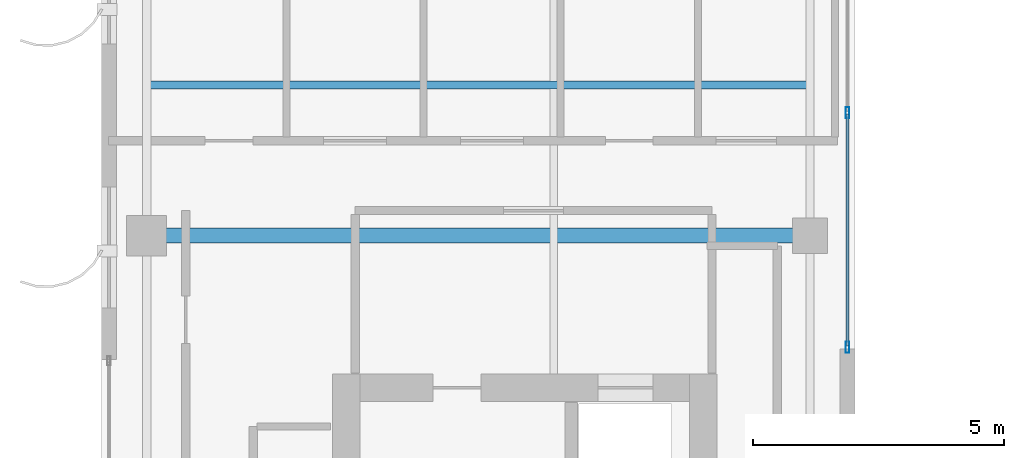
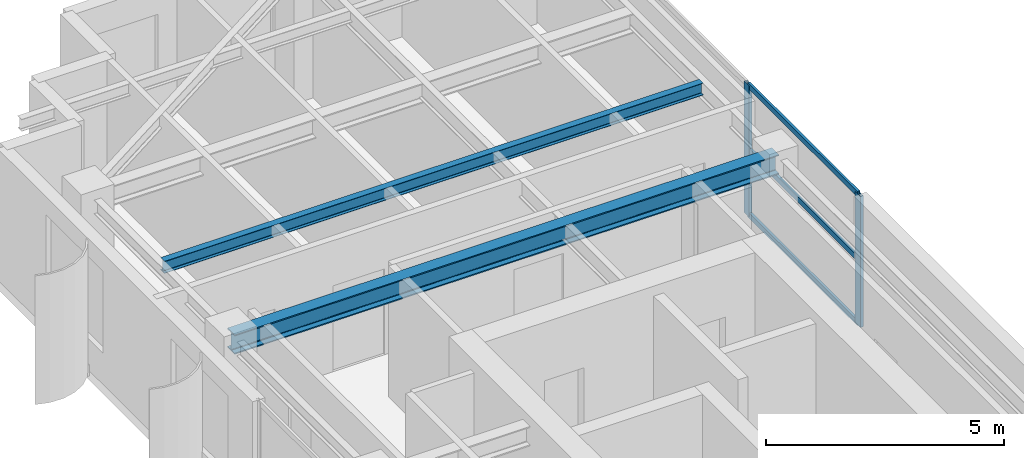
# One storey, part 9 of 22: 5 members, 2 beams, 1 element without a shape of its own.
"""IFC4 building model written with IfcOpenShell, lengths in metres."""

from ifc_helpers import new_model, si_unit, direction, frame, origin, origin_2d, place, context, subcontext, project, spatial, hollow_rectangle, i_section, extrude, source, transform, mapped, material, layer, layer_set, material_profile, profile_set, type_object, element, aggregate, save


model = new_model("IFC4")

# Units and contexts
model_context = context("Model", 3, precision=1e-05, world=origin(), true_north=direction((0.0, 1.0)))
body_context = subcontext(model_context, "Body", "Model", "MODEL_VIEW")
ifc_project = project(units=[si_unit("LENGTHUNIT", "METRE"), si_unit("AREAUNIT", "SQUARE_METRE"), si_unit("VOLUMEUNIT", "CUBIC_METRE"), si_unit("PLANEANGLEUNIT", "RADIAN"), si_unit("MASSUNIT", "GRAM", prefix="KILO")], contexts=[model_context])

# Site, building, storey
site_placement = place(None, origin())
site = spatial("IfcSite", under=ifc_project, at=site_placement, CompositionType="ELEMENT")
building_placement = place(site_placement, origin())
building = spatial("IfcBuilding", under=site, at=building_placement, Name="Khoralis Quay Care Tower", CompositionType="ELEMENT")
storey_placement = place(building_placement, frame((0.0, 0.0, 242.10009765625)))
storey = spatial("IfcBuildingStorey", under=building, at=storey_placement, Name="L63", CompositionType="ELEMENT", Elevation=242.10009765625)

# Beams
ifc_material_1 = material(Name="Steel S355", Category="steel")
ifc_material_profile_1 = material_profile(ifc_material_1, i_section(OverallWidth=0.300048828125, OverallDepth=0.5, WebThickness=0.014404296875, FlangeThickness=0.028076171875, FilletRadius=0.027099609375, at=origin_2d()), Name="Steel S355")
ifc_profile_set_1 = profile_set([ifc_material_profile_1], Name="Steel S355")
beam_type_1 = type_object("IfcBeamType", Name="BM-HEB500", PredefinedType="BEAM", material=ifc_profile_set_1)
shared_shape_1 = source(origin(), body_context, "Body", "SweptSolid", [
    extrude(i_section(OverallWidth=0.300048828125, OverallDepth=0.5, WebThickness=0.014404296875, FlangeThickness=0.028076171875, FilletRadius=0.027099609375, at=origin_2d()), origin(), (0.0, 0.0, 1.0), 13.2001953125),
])
beam_1_placement = place(storey_placement, frame((3.89990234375, 30.0, 3.10986328125), z_axis=(1.0, 0.0, 0.0), x_axis=(0.0, 1.0, 0.0)))
element("IfcBeam", 1, at=beam_1_placement, inside=storey, type_object=beam_type_1, Name="BM-TGXW-L63-300", PredefinedType="BEAM", context=body_context, shape_type="MappedRepresentation", body=[
    mapped(shared_shape_1, transform((0.0, 0.0, 0.0), scale=1.0)),
])
ifc_material_profile_2 = material_profile(ifc_material_1, i_section(OverallWidth=0.1650390625, OverallDepth=0.31005859375, WebThickness=0.005859375, FlangeThickness=0.009765625, FilletRadius=0.011962890625, at=origin_2d()), Name="Steel S355")
ifc_profile_set_2 = profile_set([ifc_material_profile_2], Name="Steel S355")
beam_type_2 = type_object("IfcBeamType", Name="BM-W310X39", PredefinedType="JOIST", material=ifc_profile_set_2)
shared_shape_2 = source(origin(), body_context, "Body", "SweptSolid", [
    extrude(i_section(OverallWidth=0.1650390625, OverallDepth=0.31005859375, WebThickness=0.005859375, FlangeThickness=0.009765625, FilletRadius=0.011962890625, at=origin_2d()), origin(), (0.0, 0.0, 1.0), 13.06396484375),
])
beam_2_placement = place(storey_placement, frame((3.970947265625, 33.0, 3.204833984375), z_axis=(1.0, 0.0, 0.0), x_axis=(0.0, 1.0, 0.0)))
element("IfcBeam", 2, at=beam_2_placement, inside=storey, type_object=beam_type_2, Name="BM-TJS-L63-19", PredefinedType="JOIST", context=body_context, shape_type="MappedRepresentation", body=[
    mapped(shared_shape_2, transform((0.0, 0.0, 0.0), scale=1.0)),
])

# Curtain wall, members
ifc_material_2 = material(Name="Pale anodised aluminium", Category="aluminium")
ifc_layer = layer(ifc_material_2, 0.18994140625)
ifc_layer_set = layer_set([ifc_layer], Name="Pale anodised aluminium")
curtain_wall_type = type_object("IfcCurtainWallType", Name="CW-SYS-PORTAL", PredefinedType="NOTDEFINED", material=ifc_layer_set)
curtain_wall_placement = place(storey_placement, origin())
curtain_wall = element("IfcCurtainWall", 3, at=curtain_wall_placement, inside=storey, type_object=curtain_wall_type, Name="L63 Unitised Curtain Wall CW-VP-L63-P1-N", PredefinedType="NOTDEFINED")
ifc_material_profile_3 = material_profile(ifc_material_2, hollow_rectangle(XDim=0.06005859375, YDim=0.139892578125, WallThickness=0.00390625, at=origin_2d()), Name="Pale anodised aluminium")
ifc_profile_set_3 = profile_set([ifc_material_profile_3], Name="Pale anodised aluminium")
member_type_1 = type_object("IfcMemberType", Name="CW-TRN-140", PredefinedType="USERDEFINED", material=ifc_profile_set_3)
shared_shape_3 = source(origin(), body_context, "Body", "SweptSolid", [
    extrude(hollow_rectangle(XDim=0.06005859375, YDim=0.139892578125, WallThickness=0.00390625, at=origin_2d()), origin(), (0.0, 0.0, 1.0), 4.60986328125),
])
member_1_placement = place(storey_placement, frame((17.85009765625, 27.81005859375, 0.02978515625), z_axis=(0.0, 1.0, 0.0), x_axis=(-1.0, 0.0, 0.0)))
member_1 = element("IfcMember", 4, at=member_1_placement, type_object=member_type_1, Name="CW4 transom 1.1", ObjectType="TRANSOM", PredefinedType="USERDEFINED", context=body_context, shape_type="MappedRepresentation", body=[
    mapped(shared_shape_3, transform((0.0, 0.0, 0.0), scale=1.0)),
])
member_2_placement = place(storey_placement, frame((17.85009765625, 27.81005859375, 1.679931640625), z_axis=(0.0, 1.0, 0.0), x_axis=(-1.0, 0.0, 0.0)))
member_2 = element("IfcMember", 5, at=member_2_placement, type_object=member_type_1, Name="CW4 transom 1.2", ObjectType="TRANSOM", PredefinedType="USERDEFINED", context=body_context, shape_type="MappedRepresentation", body=[
    mapped(shared_shape_3, transform((0.0, 0.0, 0.0), scale=1.0)),
])
member_3_placement = place(storey_placement, frame((17.85009765625, 27.81005859375, 3.329833984375), z_axis=(0.0, 1.0, 0.0), x_axis=(-1.0, 0.0, 0.0)))
member_3 = element("IfcMember", 6, at=member_3_placement, type_object=member_type_1, Name="CW4 transom 1.3", ObjectType="TRANSOM", PredefinedType="USERDEFINED", context=body_context, shape_type="MappedRepresentation", body=[
    mapped(shared_shape_3, transform((0.0, 0.0, 0.0), scale=1.0)),
])
ifc_material_profile_4 = material_profile(ifc_material_2, hollow_rectangle(XDim=0.074951171875, YDim=0.219970703125, WallThickness=0.00390625, at=origin_2d()), Name="Pale anodised aluminium")
ifc_profile_set_4 = profile_set([ifc_material_profile_4], Name="Pale anodised aluminium")
member_type_2 = type_object("IfcMemberType", Name="CW-MUL-220", PredefinedType="MULLION", material=ifc_profile_set_4)
shared_shape_4 = source(origin(), body_context, "Body", "SweptSolid", [
    extrude(hollow_rectangle(XDim=0.074951171875, YDim=0.219970703125, WallThickness=0.00390625, at=origin_2d()), origin(), (0.0, 0.0, 1.0), 3.35986328125),
])
member_4_placement = place(storey_placement, frame((17.85009765625, 27.780029296875, 0.0), z_axis=(0.0, 0.0, 1.0), x_axis=(-1.0, 0.0, 0.0)))
member_4 = element("IfcMember", 7, at=member_4_placement, type_object=member_type_2, Name="CW4 mullion 1", PredefinedType="MULLION", context=body_context, shape_type="MappedRepresentation", body=[
    mapped(shared_shape_4, transform((0.0, 0.0, 0.0), scale=1.0)),
])
member_5_placement = place(storey_placement, frame((17.85009765625, 32.449951171875, 0.0), z_axis=(0.0, 0.0, 1.0), x_axis=(-1.0, 0.0, 0.0)))
member_5 = element("IfcMember", 8, at=member_5_placement, type_object=member_type_2, Name="CW4 mullion 2", PredefinedType="MULLION", context=body_context, shape_type="MappedRepresentation", body=[
    mapped(shared_shape_4, transform((0.0, 0.0, 0.0), scale=1.0)),
])
aggregate(curtain_wall, [member_4, member_5, member_1, member_2, member_3])

save(model, "model.ifc")
